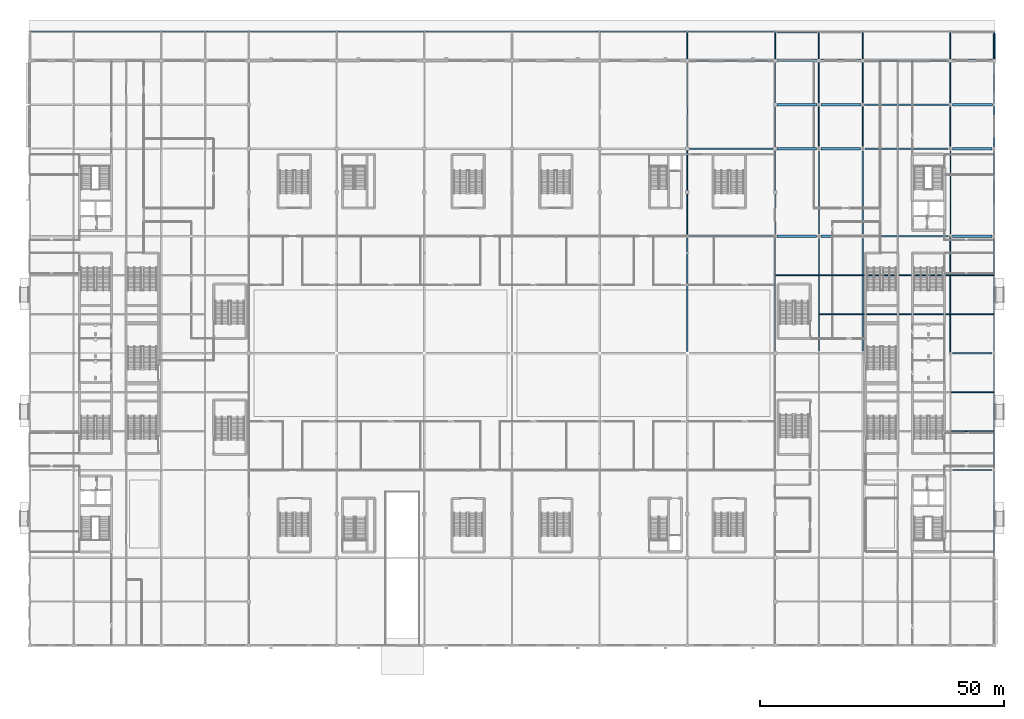
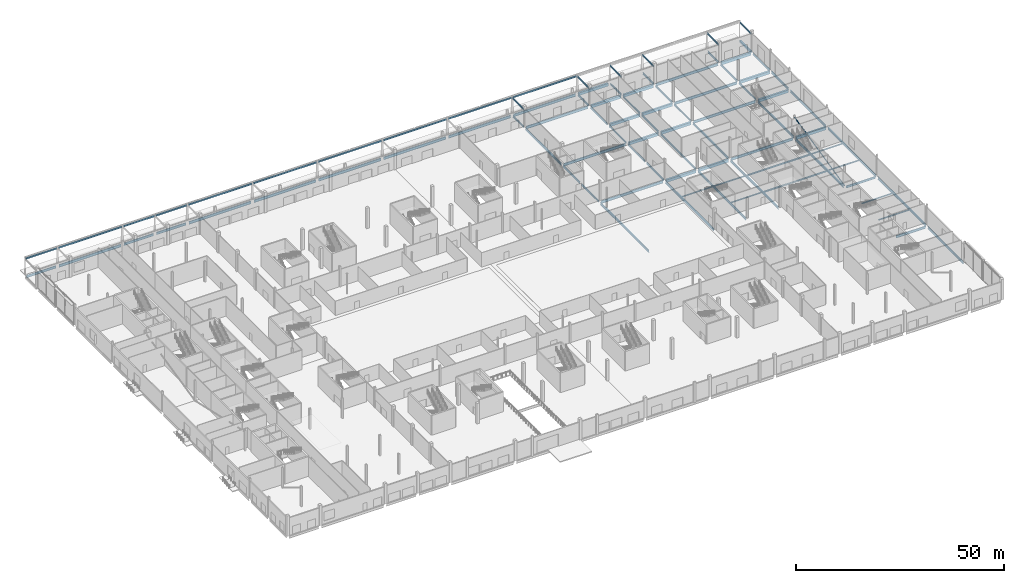
# One storey, part 26 of 84: 90 beams, 1 member.
"""IFC4 building model written with IfcOpenShell, lengths in metres."""

from ifc_helpers import new_model, si_unit, direction, frame, origin, origin_2d, place, context, subcontext, project, spatial, rectangle, hollow_circle, i_section, extrude, material, material_profile, profile_set, type_object, element, save


model = new_model("IFC4")

# Units and contexts
model_context = context("Model", 3, precision=1e-05, world=origin(), true_north=direction((0.0, 1.0)))
body_context = subcontext(model_context, "Body", "Model", "MODEL_VIEW")
ifc_project = project(units=[si_unit("LENGTHUNIT", "METRE"), si_unit("AREAUNIT", "SQUARE_METRE"), si_unit("VOLUMEUNIT", "CUBIC_METRE"), si_unit("PLANEANGLEUNIT", "RADIAN"), si_unit("MASSUNIT", "GRAM", prefix="KILO")], contexts=[model_context])

# Site, building, storey
site_placement = place(None, origin())
site = spatial("IfcSite", under=ifc_project, at=site_placement, CompositionType="ELEMENT")
building_placement = place(site_placement, origin())
building = spatial("IfcBuilding", under=site, at=building_placement, Name="Kisiwana Market Hall", CompositionType="ELEMENT")
storey_placement = place(building_placement, origin())
storey = spatial("IfcBuildingStorey", under=building, at=storey_placement, Name="L00", CompositionType="ELEMENT", Elevation=0.0)

# Beams
ifc_material_1 = material(Name="Steel S355", Category="steel")
ifc_material_profile_1 = material_profile(ifc_material_1, i_section(OverallWidth=0.19140625, OverallDepth=0.4599609375, WebThickness=0.010009765625, FlangeThickness=0.01611328125, at=origin_2d()), Name="UB 457x191x82")
ifc_profile_set_1 = profile_set([ifc_material_profile_1], Name="Steel S355")
beam_type_1 = type_object("IfcBeamType", Name="BM-GIRD-UB457H", PredefinedType="BEAM", material=ifc_profile_set_1)
beam_1_placement = place(storey_placement, frame((0.157958984375, 126.0, 4.677978515625), z_axis=(1.0, 0.0, 0.0), x_axis=(0.0, 1.0, 0.0)))
element("IfcBeam", 1, at=beam_1_placement, inside=storey, type_object=beam_type_1, Name="Roof girder B-0298", PredefinedType="BEAM", context=body_context, shape_type="SweptSolid", body=[
    extrude(i_section(OverallWidth=0.19140625, OverallDepth=0.4599609375, WebThickness=0.010009765625, FlangeThickness=0.01611328125, at=origin_2d()), origin(), (0.0, 0.0, 1.0), 8.68408203125),
])
beam_2_placement = place(storey_placement, frame((9.157958984375, 126.0, 4.677978515625), z_axis=(1.0, 0.0, 0.0), x_axis=(0.0, 1.0, 0.0)))
element("IfcBeam", 2, at=beam_2_placement, inside=storey, type_object=beam_type_1, Name="Roof girder B-0299", PredefinedType="BEAM", context=body_context, shape_type="SweptSolid", body=[
    extrude(i_section(OverallWidth=0.19140625, OverallDepth=0.4599609375, WebThickness=0.010009765625, FlangeThickness=0.01611328125, at=origin_2d()), origin(), (0.0, 0.0, 1.0), 17.68408203125),
])
for number, where, z_axis, x_axis, name in (
    (3, (27.157958984375, 126.0, 4.677978515625), (1.0, 0.0, 0.0), (0.0, 1.0, 0.0), "Roof girder B-0300"),
    (4, (36.157958984375, 126.0, 4.677978515625), (1.0, 0.0, 0.0), (0.0, 1.0, 0.0), "Roof girder B-0301"),
):
    element("IfcBeam", number, at=place(storey_placement, frame(where, z_axis=z_axis, x_axis=x_axis)), inside=storey, type_object=beam_type_1, Name=name, PredefinedType="BEAM", context=body_context, shape_type="SweptSolid", body=[
        extrude(i_section(OverallWidth=0.19140625, OverallDepth=0.4599609375, WebThickness=0.010009765625, FlangeThickness=0.01611328125, at=origin_2d()), origin(), (0.0, 0.0, 1.0), 8.68408203125),
    ])
for number, where, z_axis, x_axis, name in (
    (5, (45.157958984375, 126.0, 4.677978515625), (1.0, 0.0, 0.0), (0.0, 1.0, 0.0), "Roof girder B-0302"),
    (6, (63.157958984375, 126.0, 4.677978515625), (1.0, 0.0, 0.0), (0.0, 1.0, 0.0), "Roof girder B-0303"),
    (7, (81.157958984375, 126.0, 4.677978515625), (1.0, 0.0, 0.0), (0.0, 1.0, 0.0), "Roof girder B-0304"),
    (8, (99.157958984375, 126.0, 4.677978515625), (1.0, 0.0, 0.0), (0.0, 1.0, 0.0), "Roof girder B-0305"),
    (9, (117.157958984375, 126.0, 4.677978515625), (1.0, 0.0, 0.0), (0.0, 1.0, 0.0), "Roof girder B-0306"),
    (10, (135.157958984375, 126.0, 4.677978515625), (1.0, 0.0, 0.0), (0.0, 1.0, 0.0), "Roof girder B-0307"),
):
    element("IfcBeam", number, at=place(storey_placement, frame(where, z_axis=z_axis, x_axis=x_axis)), inside=storey, type_object=beam_type_1, Name=name, PredefinedType="BEAM", context=body_context, shape_type="SweptSolid", body=[
        extrude(i_section(OverallWidth=0.19140625, OverallDepth=0.4599609375, WebThickness=0.010009765625, FlangeThickness=0.01611328125, at=origin_2d()), origin(), (0.0, 0.0, 1.0), 17.68408203125),
    ])
for number, where, z_axis, x_axis, name in (
    (11, (135.0, 120.345947265625, 4.677978515625), (0.0, 1.0, 0.0), (-1.0, 0.0, 0.0), "Roof girder B-0321"),
    (12, (153.0, 120.345947265625, 4.677978515625), (0.0, 1.0, 0.0), (-1.0, 0.0, 0.0), "Roof girder B-0322"),
    (13, (162.0, 120.345947265625, 4.677978515625), (0.0, 1.0, 0.0), (-1.0, 0.0, 0.0), "Roof girder B-0323"),
    (14, (171.0, 120.345947265625, 4.677978515625), (0.0, 1.0, 0.0), (-1.0, 0.0, 0.0), "Roof girder B-0324"),
    (15, (189.0, 120.345947265625, 4.677978515625), (0.0, 1.0, 0.0), (-1.0, 0.0, 0.0), "Roof girder B-0325"),
    (16, (198.0, 120.345947265625, 4.677978515625), (0.0, 1.0, 0.0), (-1.0, 0.0, 0.0), "Roof girder B-0326"),
):
    element("IfcBeam", number, at=place(storey_placement, frame(where, z_axis=z_axis, x_axis=x_axis)), inside=storey, type_object=beam_type_1, Name=name, PredefinedType="BEAM", context=body_context, shape_type="SweptSolid", body=[
        extrude(i_section(OverallWidth=0.19140625, OverallDepth=0.4599609375, WebThickness=0.010009765625, FlangeThickness=0.01611328125, at=origin_2d()), origin(), (0.0, 0.0, 1.0), 5.49609375),
    ])
ifc_material_2 = material(Name="Steel S355", Category="steel")
ifc_material_profile_2 = material_profile(ifc_material_2, i_section(OverallWidth=0.209228515625, OverallDepth=0.533203125, WebThickness=0.010009765625, FlangeThickness=0.015625, at=origin_2d()), Name="UB 533x210x92")
ifc_profile_set_2 = profile_set([ifc_material_profile_2], Name="Steel S355")
beam_type_2 = type_object("IfcBeamType", Name="BM-GIRD-UB533", PredefinedType="BEAM", material=ifc_profile_set_2)
for number, where, z_axis, x_axis, name in (
    (17, (135.0, 84.39599609375, -0.526611328125), (0.0, 1.0, 0.0), (-1.0, 0.0, 0.0), "Primary girder B-0080"),
    (18, (135.0, 93.39599609375, -0.526611328125), (0.0, 1.0, 0.0), (-1.0, 0.0, 0.0), "Primary girder B-0081"),
):
    element("IfcBeam", number, at=place(storey_placement, frame(where, z_axis=z_axis, x_axis=x_axis)), inside=storey, type_object=beam_type_2, Name=name, PredefinedType="BEAM", context=body_context, shape_type="SweptSolid", body=[
        extrude(i_section(OverallWidth=0.209228515625, OverallDepth=0.533203125, WebThickness=0.010009765625, FlangeThickness=0.015625, at=origin_2d()), origin(), (0.0, 0.0, 1.0), 8.2080078125),
    ])
beam_3_placement = place(storey_placement, frame((135.0, 120.39599609375, -0.524658203125), z_axis=(0.0, 1.0, 0.0), x_axis=(-1.0, 0.0, 0.0)))
element("IfcBeam", 19, at=beam_3_placement, inside=storey, type_object=beam_type_2, Name="Primary girder B-0083", PredefinedType="BEAM", context=body_context, shape_type="SweptSolid", body=[
    extrude(i_section(OverallWidth=0.209228515625, OverallDepth=0.533203125, WebThickness=0.010009765625, FlangeThickness=0.015625, at=origin_2d()), origin(), (0.0, 0.0, 1.0), 5.2080078125),
])
for number, where, z_axis, x_axis, name in (
    (20, (153.0, 84.39599609375, -0.566650390625), (0.0, 1.0, 0.0), (-1.0, 0.0, 0.0), "Primary girder B-0089"),
    (21, (153.0, 93.39599609375, -0.566650390625), (0.0, 1.0, 0.0), (-1.0, 0.0, 0.0), "Primary girder B-0090"),
    (22, (153.0, 102.39599609375, -0.566650390625), (0.0, 1.0, 0.0), (-1.0, 0.0, 0.0), "Primary girder B-0091"),
    (23, (153.0, 111.39599609375, -0.566650390625), (0.0, 1.0, 0.0), (-1.0, 0.0, 0.0), "Primary girder B-0092"),
):
    element("IfcBeam", number, at=place(storey_placement, frame(where, z_axis=z_axis, x_axis=x_axis)), inside=storey, type_object=beam_type_2, Name=name, PredefinedType="BEAM", context=body_context, shape_type="SweptSolid", body=[
        extrude(i_section(OverallWidth=0.209228515625, OverallDepth=0.533203125, WebThickness=0.010009765625, FlangeThickness=0.015625, at=origin_2d()), origin(), (0.0, 0.0, 1.0), 8.2080078125),
    ])
beam_4_placement = place(storey_placement, frame((153.0, 120.39599609375, -0.524658203125), z_axis=(0.0, 1.0, 0.0), x_axis=(-1.0, 0.0, 0.0)))
element("IfcBeam", 24, at=beam_4_placement, inside=storey, type_object=beam_type_2, Name="Primary girder B-0093", PredefinedType="BEAM", context=body_context, shape_type="SweptSolid", body=[
    extrude(i_section(OverallWidth=0.209228515625, OverallDepth=0.533203125, WebThickness=0.010009765625, FlangeThickness=0.015625, at=origin_2d()), origin(), (0.0, 0.0, 1.0), 5.2080078125),
])
beam_5_placement = place(storey_placement, frame((162.0, 102.446044921875, -0.566650390625), z_axis=(0.0, 1.0, 0.0), x_axis=(-1.0, 0.0, 0.0)))
element("IfcBeam", 25, at=beam_5_placement, inside=storey, type_object=beam_type_2, Name="Primary girder B-0100", PredefinedType="BEAM", context=body_context, shape_type="SweptSolid", body=[
    extrude(i_section(OverallWidth=0.209228515625, OverallDepth=0.533203125, WebThickness=0.010009765625, FlangeThickness=0.015625, at=origin_2d()), origin(), (0.0, 0.0, 1.0), 8.157958984375),
])
beam_6_placement = place(storey_placement, frame((162.0, 111.39599609375, -0.566650390625), z_axis=(0.0, 1.0, 0.0), x_axis=(-1.0, 0.0, 0.0)))
element("IfcBeam", 26, at=beam_6_placement, inside=storey, type_object=beam_type_2, Name="Primary girder B-0101", PredefinedType="BEAM", context=body_context, shape_type="SweptSolid", body=[
    extrude(i_section(OverallWidth=0.209228515625, OverallDepth=0.533203125, WebThickness=0.010009765625, FlangeThickness=0.015625, at=origin_2d()), origin(), (0.0, 0.0, 1.0), 8.2080078125),
])
beam_7_placement = place(storey_placement, frame((162.0, 120.39599609375, -0.524658203125), z_axis=(0.0, 1.0, 0.0), x_axis=(-1.0, 0.0, 0.0)))
element("IfcBeam", 27, at=beam_7_placement, inside=storey, type_object=beam_type_2, Name="Primary girder B-0102", PredefinedType="BEAM", context=body_context, shape_type="SweptSolid", body=[
    extrude(i_section(OverallWidth=0.209228515625, OverallDepth=0.533203125, WebThickness=0.010009765625, FlangeThickness=0.015625, at=origin_2d()), origin(), (0.0, 0.0, 1.0), 5.2080078125),
])
beam_8_placement = place(storey_placement, frame((171.0, 102.446044921875, -0.566650390625), z_axis=(0.0, 1.0, 0.0), x_axis=(-1.0, 0.0, 0.0)))
element("IfcBeam", 28, at=beam_8_placement, inside=storey, type_object=beam_type_2, Name="Primary girder B-0107", PredefinedType="BEAM", context=body_context, shape_type="SweptSolid", body=[
    extrude(i_section(OverallWidth=0.209228515625, OverallDepth=0.533203125, WebThickness=0.010009765625, FlangeThickness=0.015625, at=origin_2d()), origin(), (0.0, 0.0, 1.0), 8.157958984375),
])
beam_9_placement = place(storey_placement, frame((171.0, 111.39599609375, -0.566650390625), z_axis=(0.0, 1.0, 0.0), x_axis=(-1.0, 0.0, 0.0)))
element("IfcBeam", 29, at=beam_9_placement, inside=storey, type_object=beam_type_2, Name="Primary girder B-0108", PredefinedType="BEAM", context=body_context, shape_type="SweptSolid", body=[
    extrude(i_section(OverallWidth=0.209228515625, OverallDepth=0.533203125, WebThickness=0.010009765625, FlangeThickness=0.015625, at=origin_2d()), origin(), (0.0, 0.0, 1.0), 8.2080078125),
])
beam_10_placement = place(storey_placement, frame((171.0, 120.39599609375, -0.524658203125), z_axis=(0.0, 1.0, 0.0), x_axis=(-1.0, 0.0, 0.0)))
element("IfcBeam", 30, at=beam_10_placement, inside=storey, type_object=beam_type_2, Name="Primary girder B-0109", PredefinedType="BEAM", context=body_context, shape_type="SweptSolid", body=[
    extrude(i_section(OverallWidth=0.209228515625, OverallDepth=0.533203125, WebThickness=0.010009765625, FlangeThickness=0.015625, at=origin_2d()), origin(), (0.0, 0.0, 1.0), 5.2080078125),
])
beam_11_placement = place(storey_placement, frame((189.0, 102.446044921875, -0.566650390625), z_axis=(0.0, 1.0, 0.0), x_axis=(-1.0, 0.0, 0.0)))
element("IfcBeam", 31, at=beam_11_placement, inside=storey, type_object=beam_type_2, Name="Primary girder B-0116", PredefinedType="BEAM", context=body_context, shape_type="SweptSolid", body=[
    extrude(i_section(OverallWidth=0.209228515625, OverallDepth=0.533203125, WebThickness=0.010009765625, FlangeThickness=0.015625, at=origin_2d()), origin(), (0.0, 0.0, 1.0), 8.157958984375),
])
beam_12_placement = place(storey_placement, frame((189.0, 111.39599609375, -0.566650390625), z_axis=(0.0, 1.0, 0.0), x_axis=(-1.0, 0.0, 0.0)))
element("IfcBeam", 32, at=beam_12_placement, inside=storey, type_object=beam_type_2, Name="Primary girder B-0117", PredefinedType="BEAM", context=body_context, shape_type="SweptSolid", body=[
    extrude(i_section(OverallWidth=0.209228515625, OverallDepth=0.533203125, WebThickness=0.010009765625, FlangeThickness=0.015625, at=origin_2d()), origin(), (0.0, 0.0, 1.0), 8.2080078125),
])
beam_13_placement = place(storey_placement, frame((189.0, 120.39599609375, -0.524658203125), z_axis=(0.0, 1.0, 0.0), x_axis=(-1.0, 0.0, 0.0)))
element("IfcBeam", 33, at=beam_13_placement, inside=storey, type_object=beam_type_2, Name="Primary girder B-0118", PredefinedType="BEAM", context=body_context, shape_type="SweptSolid", body=[
    extrude(i_section(OverallWidth=0.209228515625, OverallDepth=0.533203125, WebThickness=0.010009765625, FlangeThickness=0.015625, at=origin_2d()), origin(), (0.0, 0.0, 1.0), 5.2080078125),
])
ifc_material_3 = material(Name="Steel S355", Category="steel")
ifc_material_profile_3 = material_profile(ifc_material_3, i_section(OverallWidth=0.22900390625, OverallDepth=0.6123046875, WebThickness=0.011962890625, FlangeThickness=0.01953125, at=origin_2d()), Name="UB 610x229x125")
ifc_profile_set_3 = profile_set([ifc_material_profile_3], Name="Steel S355")
beam_type_3 = type_object("IfcBeamType", Name="BM-GIRD-UB610H", PredefinedType="BEAM", material=ifc_profile_set_3)
beam_14_placement = place(storey_placement, frame((198.0, 102.446044921875, -0.606201171875), z_axis=(0.0, 1.0, 0.0), x_axis=(-1.0, 0.0, 0.0)))
element("IfcBeam", 34, at=beam_14_placement, inside=storey, type_object=beam_type_3, Name="Floor beam B-0295", PredefinedType="BEAM", context=body_context, shape_type="SweptSolid", body=[
    extrude(i_section(OverallWidth=0.22900390625, OverallDepth=0.6123046875, WebThickness=0.011962890625, FlangeThickness=0.01953125, at=origin_2d()), origin(), (0.0, 0.0, 1.0), 8.157958984375),
])
beam_15_placement = place(storey_placement, frame((198.0, 111.39599609375, -0.606201171875), z_axis=(0.0, 1.0, 0.0), x_axis=(-1.0, 0.0, 0.0)))
element("IfcBeam", 35, at=beam_15_placement, inside=storey, type_object=beam_type_3, Name="Floor beam B-0296", PredefinedType="BEAM", context=body_context, shape_type="SweptSolid", body=[
    extrude(i_section(OverallWidth=0.22900390625, OverallDepth=0.6123046875, WebThickness=0.011962890625, FlangeThickness=0.01953125, at=origin_2d()), origin(), (0.0, 0.0, 1.0), 8.2080078125),
])
beam_16_placement = place(storey_placement, frame((189.446044921875, 60.0, -0.566162109375), z_axis=(1.0, 0.0, 0.0), x_axis=(0.0, 1.0, 0.0)))
element("IfcBeam", 36, at=beam_16_placement, inside=storey, type_object=beam_type_3, Name="Primary girder B-0004", PredefinedType="BEAM", context=body_context, shape_type="SweptSolid", body=[
    extrude(i_section(OverallWidth=0.22900390625, OverallDepth=0.6123046875, WebThickness=0.011962890625, FlangeThickness=0.01953125, at=origin_2d()), origin(), (0.0, 0.0, 1.0), 8.10791015625),
])
beam_17_placement = place(storey_placement, frame((135.0, 102.39599609375, -0.566162109375), z_axis=(0.0, 1.0, 0.0), x_axis=(-1.0, 0.0, 0.0)))
element("IfcBeam", 37, at=beam_17_placement, inside=storey, type_object=beam_type_3, Name="Primary girder B-0082", PredefinedType="BEAM", context=body_context, shape_type="SweptSolid", body=[
    extrude(i_section(OverallWidth=0.22900390625, OverallDepth=0.6123046875, WebThickness=0.011962890625, FlangeThickness=0.01953125, at=origin_2d()), origin(), (0.0, 0.0, 1.0), 17.2080078125),
])
for number, where, z_axis, x_axis, name in (
    (38, (162.0, 84.446044921875, -0.606201171875), (0.0, 1.0, 0.0), (-1.0, 0.0, 0.0), "Primary girder B-0099"),
    (39, (171.0, 84.446044921875, -0.606201171875), (0.0, 1.0, 0.0), (-1.0, 0.0, 0.0), "Primary girder B-0106"),
    (40, (189.0, 84.446044921875, -0.606201171875), (0.0, 1.0, 0.0), (-1.0, 0.0, 0.0), "Primary girder B-0115"),
):
    element("IfcBeam", number, at=place(storey_placement, frame(where, z_axis=z_axis, x_axis=x_axis)), inside=storey, type_object=beam_type_3, Name=name, PredefinedType="BEAM", context=body_context, shape_type="SweptSolid", body=[
        extrude(i_section(OverallWidth=0.22900390625, OverallDepth=0.6123046875, WebThickness=0.011962890625, FlangeThickness=0.01953125, at=origin_2d()), origin(), (0.0, 0.0, 1.0), 17.10791015625),
    ])
ifc_material_4 = material(Name="Steel S355", Category="steel")
ifc_material_profile_4 = material_profile(ifc_material_4, i_section(OverallWidth=0.253662109375, OverallDepth=0.68359375, WebThickness=0.012451171875, FlangeThickness=0.01904296875, at=origin_2d()), Name="UB 686x254x140")
ifc_profile_set_4 = profile_set([ifc_material_profile_4], Name="Steel S355")
beam_type_4 = type_object("IfcBeamType", Name="BM-GIRD-UB686", PredefinedType="BEAM", material=ifc_profile_set_4)
beam_18_placement = place(storey_placement, frame((189.446044921875, 36.0, -0.601806640625), z_axis=(1.0, 0.0, 0.0), x_axis=(0.0, 1.0, 0.0)))
element("IfcBeam", 41, at=beam_18_placement, inside=storey, type_object=beam_type_4, Name="Floor beam B-0198", PredefinedType="BEAM", context=body_context, shape_type="SweptSolid", body=[
    extrude(i_section(OverallWidth=0.253662109375, OverallDepth=0.68359375, WebThickness=0.012451171875, FlangeThickness=0.01904296875, at=origin_2d()), origin(), (0.0, 0.0, 1.0), 8.10791015625),
])
for number, where, z_axis, x_axis, name in (
    (42, (0.39599609375, 126.0, -0.641845703125), (1.0, 0.0, 0.0), (0.0, 1.0, 0.0), "Floor beam B-0259"),
    (43, (27.39599609375, 126.0, -0.641845703125), (1.0, 0.0, 0.0), (0.0, 1.0, 0.0), "Floor beam B-0261"),
    (44, (36.39599609375, 126.0, -0.641845703125), (1.0, 0.0, 0.0), (0.0, 1.0, 0.0), "Floor beam B-0262"),
):
    element("IfcBeam", number, at=place(storey_placement, frame(where, z_axis=z_axis, x_axis=x_axis)), inside=storey, type_object=beam_type_4, Name=name, PredefinedType="BEAM", context=body_context, shape_type="SweptSolid", body=[
        extrude(i_section(OverallWidth=0.253662109375, OverallDepth=0.68359375, WebThickness=0.012451171875, FlangeThickness=0.01904296875, at=origin_2d()), origin(), (0.0, 0.0, 1.0), 8.2080078125),
    ])
beam_19_placement = place(storey_placement, frame((153.0, 60.39599609375, -0.601806640625), z_axis=(0.0, 1.0, 0.0), x_axis=(-1.0, 0.0, 0.0)))
element("IfcBeam", 45, at=beam_19_placement, inside=storey, type_object=beam_type_4, Name="Floor beam B-0286", PredefinedType="BEAM", context=body_context, shape_type="SweptSolid", body=[
    extrude(i_section(OverallWidth=0.253662109375, OverallDepth=0.68359375, WebThickness=0.012451171875, FlangeThickness=0.01904296875, at=origin_2d()), origin(), (0.0, 0.0, 1.0), 23.2080078125),
])
beam_20_placement = place(storey_placement, frame((171.0, 60.446044921875, -0.601806640625), z_axis=(0.0, 1.0, 0.0), x_axis=(-1.0, 0.0, 0.0)))
element("IfcBeam", 46, at=beam_20_placement, inside=storey, type_object=beam_type_4, Name="Floor beam B-0288", PredefinedType="BEAM", context=body_context, shape_type="SweptSolid", body=[
    extrude(i_section(OverallWidth=0.253662109375, OverallDepth=0.68359375, WebThickness=0.012451171875, FlangeThickness=0.01904296875, at=origin_2d()), origin(), (0.0, 0.0, 1.0), 23.10791015625),
])
beam_21_placement = place(storey_placement, frame((198.0, 18.446044921875, -0.601806640625), z_axis=(0.0, 1.0, 0.0), x_axis=(-1.0, 0.0, 0.0)))
element("IfcBeam", 47, at=beam_21_placement, inside=storey, type_object=beam_type_4, Name="Floor beam B-0291", PredefinedType="BEAM", context=body_context, shape_type="SweptSolid", body=[
    extrude(i_section(OverallWidth=0.253662109375, OverallDepth=0.68359375, WebThickness=0.012451171875, FlangeThickness=0.01904296875, at=origin_2d()), origin(), (0.0, 0.0, 1.0), 17.10791015625),
])
for number, where, z_axis, x_axis, name in (
    (48, (198.0, 36.446044921875, -0.601806640625), (0.0, 1.0, 0.0), (-1.0, 0.0, 0.0), "Floor beam B-0292"),
    (49, (198.0, 60.446044921875, -0.601806640625), (0.0, 1.0, 0.0), (-1.0, 0.0, 0.0), "Floor beam B-0293"),
):
    element("IfcBeam", number, at=place(storey_placement, frame(where, z_axis=z_axis, x_axis=x_axis)), inside=storey, type_object=beam_type_4, Name=name, PredefinedType="BEAM", context=body_context, shape_type="SweptSolid", body=[
        extrude(i_section(OverallWidth=0.253662109375, OverallDepth=0.68359375, WebThickness=0.012451171875, FlangeThickness=0.01904296875, at=origin_2d()), origin(), (0.0, 0.0, 1.0), 23.10791015625),
    ])
beam_22_placement = place(storey_placement, frame((198.0, 84.446044921875, -0.641845703125), z_axis=(0.0, 1.0, 0.0), x_axis=(-1.0, 0.0, 0.0)))
element("IfcBeam", 50, at=beam_22_placement, inside=storey, type_object=beam_type_4, Name="Floor beam B-0294", PredefinedType="BEAM", context=body_context, shape_type="SweptSolid", body=[
    extrude(i_section(OverallWidth=0.253662109375, OverallDepth=0.68359375, WebThickness=0.012451171875, FlangeThickness=0.01904296875, at=origin_2d()), origin(), (0.0, 0.0, 1.0), 17.10791015625),
])
beam_23_placement = place(storey_placement, frame((135.0, 60.39599609375, -0.601806640625), z_axis=(0.0, 1.0, 0.0), x_axis=(-1.0, 0.0, 0.0)))
element("IfcBeam", 51, at=beam_23_placement, inside=storey, type_object=beam_type_4, Name="Primary girder B-0079", PredefinedType="BEAM", context=body_context, shape_type="SweptSolid", body=[
    extrude(i_section(OverallWidth=0.253662109375, OverallDepth=0.68359375, WebThickness=0.012451171875, FlangeThickness=0.01904296875, at=origin_2d()), origin(), (0.0, 0.0, 1.0), 23.2080078125),
])
for number, where, z_axis, x_axis, name in (
    (52, (162.0, 60.446044921875, -0.601806640625), (0.0, 1.0, 0.0), (-1.0, 0.0, 0.0), "Primary girder B-0098"),
    (53, (189.0, 60.446044921875, -0.601806640625), (0.0, 1.0, 0.0), (-1.0, 0.0, 0.0), "Primary girder B-0114"),
):
    element("IfcBeam", number, at=place(storey_placement, frame(where, z_axis=z_axis, x_axis=x_axis)), inside=storey, type_object=beam_type_4, Name=name, PredefinedType="BEAM", context=body_context, shape_type="SweptSolid", body=[
        extrude(i_section(OverallWidth=0.253662109375, OverallDepth=0.68359375, WebThickness=0.012451171875, FlangeThickness=0.01904296875, at=origin_2d()), origin(), (0.0, 0.0, 1.0), 23.10791015625),
    ])
ifc_material_5 = material(Name="Steel S355", Category="steel")
ifc_material_profile_5 = material_profile(ifc_material_5, i_section(OverallWidth=0.2666015625, OverallDepth=0.76220703125, WebThickness=0.014404296875, FlangeThickness=0.021484375, at=origin_2d()), Name="UB 762x267x173")
ifc_profile_set_5 = profile_set([ifc_material_profile_5], Name="Steel S355")
beam_type_5 = type_object("IfcBeamType", Name="BM-GIRD-UB762", PredefinedType="BEAM", material=ifc_profile_set_5)
beam_24_placement = place(storey_placement, frame((135.39599609375, 84.0, -0.64111328125), z_axis=(1.0, 0.0, 0.0), x_axis=(0.0, 1.0, 0.0)))
element("IfcBeam", 54, at=beam_24_placement, inside=storey, type_object=beam_type_5, Name="Floor beam B-0218", PredefinedType="BEAM", context=body_context, shape_type="SweptSolid", body=[
    extrude(i_section(OverallWidth=0.2666015625, OverallDepth=0.76220703125, WebThickness=0.014404296875, FlangeThickness=0.021484375, at=origin_2d()), origin(), (0.0, 0.0, 1.0), 17.2080078125),
])
beam_25_placement = place(storey_placement, frame((171.446044921875, 84.0, -0.68115234375), z_axis=(1.0, 0.0, 0.0), x_axis=(0.0, 1.0, 0.0)))
element("IfcBeam", 55, at=beam_25_placement, inside=storey, type_object=beam_type_5, Name="Floor beam B-0221", PredefinedType="BEAM", context=body_context, shape_type="SweptSolid", body=[
    extrude(i_section(OverallWidth=0.2666015625, OverallDepth=0.76220703125, WebThickness=0.014404296875, FlangeThickness=0.021484375, at=origin_2d()), origin(), (0.0, 0.0, 1.0), 17.10791015625),
])
beam_26_placement = place(storey_placement, frame((135.39599609375, 102.0, -0.64111328125), z_axis=(1.0, 0.0, 0.0), x_axis=(0.0, 1.0, 0.0)))
element("IfcBeam", 56, at=beam_26_placement, inside=storey, type_object=beam_type_5, Name="Floor beam B-0232", PredefinedType="BEAM", context=body_context, shape_type="SweptSolid", body=[
    extrude(i_section(OverallWidth=0.2666015625, OverallDepth=0.76220703125, WebThickness=0.014404296875, FlangeThickness=0.021484375, at=origin_2d()), origin(), (0.0, 0.0, 1.0), 17.2080078125),
])
beam_27_placement = place(storey_placement, frame((171.446044921875, 102.0, -0.68115234375), z_axis=(1.0, 0.0, 0.0), x_axis=(0.0, 1.0, 0.0)))
element("IfcBeam", 57, at=beam_27_placement, inside=storey, type_object=beam_type_5, Name="Floor beam B-0235", PredefinedType="BEAM", context=body_context, shape_type="SweptSolid", body=[
    extrude(i_section(OverallWidth=0.2666015625, OverallDepth=0.76220703125, WebThickness=0.014404296875, FlangeThickness=0.021484375, at=origin_2d()), origin(), (0.0, 0.0, 1.0), 17.10791015625),
])
for number, where, z_axis, x_axis, name in (
    (58, (171.39599609375, 111.0, -0.68115234375), (1.0, 0.0, 0.0), (0.0, 1.0, 0.0), "Floor beam B-0243"),
    (59, (135.39599609375, 120.0, -0.64111328125), (1.0, 0.0, 0.0), (0.0, 1.0, 0.0), "Floor beam B-0254"),
    (60, (171.39599609375, 120.0, -0.68115234375), (1.0, 0.0, 0.0), (0.0, 1.0, 0.0), "Floor beam B-0257"),
    (61, (9.39599609375, 126.0, -0.68115234375), (1.0, 0.0, 0.0), (0.0, 1.0, 0.0), "Floor beam B-0260"),
    (62, (45.39599609375, 126.0, -0.68115234375), (1.0, 0.0, 0.0), (0.0, 1.0, 0.0), "Floor beam B-0263"),
    (63, (63.39599609375, 126.0, -0.68115234375), (1.0, 0.0, 0.0), (0.0, 1.0, 0.0), "Floor beam B-0264"),
    (64, (81.39599609375, 126.0, -0.68115234375), (1.0, 0.0, 0.0), (0.0, 1.0, 0.0), "Floor beam B-0265"),
    (65, (99.39599609375, 126.0, -0.68115234375), (1.0, 0.0, 0.0), (0.0, 1.0, 0.0), "Floor beam B-0266"),
    (66, (117.39599609375, 126.0, -0.68115234375), (1.0, 0.0, 0.0), (0.0, 1.0, 0.0), "Floor beam B-0267"),
    (67, (135.39599609375, 126.0, -0.68115234375), (1.0, 0.0, 0.0), (0.0, 1.0, 0.0), "Floor beam B-0268"),
):
    element("IfcBeam", number, at=place(storey_placement, frame(where, z_axis=z_axis, x_axis=x_axis)), inside=storey, type_object=beam_type_5, Name=name, PredefinedType="BEAM", context=body_context, shape_type="SweptSolid", body=[
        extrude(i_section(OverallWidth=0.2666015625, OverallDepth=0.76220703125, WebThickness=0.014404296875, FlangeThickness=0.021484375, at=origin_2d()), origin(), (0.0, 0.0, 1.0), 17.2080078125),
    ])
ifc_material_6 = material(Name="Steel S355", Category="steel")
ifc_material_profile_6 = material_profile(ifc_material_6, i_section(OverallWidth=0.17138671875, OverallDepth=0.35498046875, WebThickness=0.00732421875, FlangeThickness=0.011474609375, at=origin_2d()), Name="UB 356x171x51")
ifc_profile_set_6 = profile_set([ifc_material_profile_6], Name="Steel S355")
beam_type_6 = type_object("IfcBeamType", Name="BM-JOIST-UB356", PredefinedType="JOIST", material=ifc_profile_set_6)
for number, where, z_axis, x_axis, name in (
    (68, (189.125732421875, 44.0, -0.4375), (1.0, 0.0, 0.0), (0.0, 1.0, 0.0), "Secondary floor joist B-0124"),
    (69, (189.125732421875, 52.0, -0.4375), (1.0, 0.0, 0.0), (0.0, 1.0, 0.0), "Secondary floor joist B-0132"),
    (70, (162.125732421875, 68.0, -0.4375), (1.0, 0.0, 0.0), (0.0, 1.0, 0.0), "Secondary floor joist B-0136"),
    (71, (189.125732421875, 68.0, -0.4375), (1.0, 0.0, 0.0), (0.0, 1.0, 0.0), "Secondary floor joist B-0138"),
    (72, (153.125732421875, 76.0, -0.4375), (1.0, 0.0, 0.0), (0.0, 1.0, 0.0), "Secondary floor joist B-0143"),
    (73, (162.125732421875, 76.0, -0.4375), (1.0, 0.0, 0.0), (0.0, 1.0, 0.0), "Secondary floor joist B-0144"),
    (74, (189.125732421875, 76.0, -0.4375), (1.0, 0.0, 0.0), (0.0, 1.0, 0.0), "Secondary floor joist B-0146"),
):
    element("IfcBeam", number, at=place(storey_placement, frame(where, z_axis=z_axis, x_axis=x_axis)), inside=storey, type_object=beam_type_6, Name=name, PredefinedType="JOIST", context=body_context, shape_type="SweptSolid", body=[
        extrude(i_section(OverallWidth=0.17138671875, OverallDepth=0.35498046875, WebThickness=0.00732421875, FlangeThickness=0.011474609375, at=origin_2d()), origin(), (0.0, 0.0, 1.0), 8.74853515625),
    ])
ifc_material_7 = material(Name="Steel S355", Category="steel")
ifc_material_profile_7 = material_profile(ifc_material_7, i_section(OverallWidth=0.18994140625, OverallDepth=0.453369140625, WebThickness=0.008544921875, FlangeThickness=0.0126953125, at=origin_2d()), Name="UB 457x191x67")
ifc_profile_set_7 = profile_set([ifc_material_profile_7], Name="Steel S355")
beam_type_7 = type_object("IfcBeamType", Name="BM-JOIST-UB457", PredefinedType="JOIST", material=ifc_profile_set_7)
for number, where, z_axis, x_axis, name in (
    (75, (171.125732421875, 68.0, -0.48681640625), (1.0, 0.0, 0.0), (0.0, 1.0, 0.0), "Secondary floor joist B-0137"),
    (76, (171.125732421875, 76.0, -0.48681640625), (1.0, 0.0, 0.0), (0.0, 1.0, 0.0), "Secondary floor joist B-0145"),
):
    element("IfcBeam", number, at=place(storey_placement, frame(where, z_axis=z_axis, x_axis=x_axis)), inside=storey, type_object=beam_type_7, Name=name, PredefinedType="JOIST", context=body_context, shape_type="SweptSolid", body=[
        extrude(i_section(OverallWidth=0.18994140625, OverallDepth=0.453369140625, WebThickness=0.008544921875, FlangeThickness=0.0126953125, at=origin_2d()), origin(), (0.0, 0.0, 1.0), 17.74853515625),
    ])
ifc_material_8 = material(Name="Concrete C40/50", Category="concrete")
ifc_material_profile_8 = material_profile(ifc_material_8, rectangle(XDim=0.5, YDim=0.800048828125, at=origin_2d()), Name="RC 500x800")
ifc_profile_set_8 = profile_set([ifc_material_profile_8], Name="Concrete C40/50")
beam_type_8 = type_object("IfcBeamType", Name="BM-RC-B1-500x800", PredefinedType="BEAM", material=ifc_profile_set_8)
beam_28_placement = place(storey_placement, frame((153.39599609375, 84.0, -0.699951171875), z_axis=(1.0, 0.0, 0.0), x_axis=(0.0, 1.0, 0.0)))
element("IfcBeam", 77, at=beam_28_placement, inside=storey, type_object=beam_type_8, Name="Floor beam B-0219", PredefinedType="BEAM", context=body_context, shape_type="SweptSolid", body=[
    extrude(rectangle(XDim=0.5, YDim=0.800048828125, at=origin_2d()), origin(), (0.0, 0.0, 1.0), 8.157958984375),
])
for number, where, z_axis, x_axis, name in (
    (78, (162.446044921875, 84.0, -0.699951171875), (1.0, 0.0, 0.0), (0.0, 1.0, 0.0), "Floor beam B-0220"),
    (79, (189.446044921875, 84.0, -0.699951171875), (1.0, 0.0, 0.0), (0.0, 1.0, 0.0), "Floor beam B-0222"),
):
    element("IfcBeam", number, at=place(storey_placement, frame(where, z_axis=z_axis, x_axis=x_axis)), inside=storey, type_object=beam_type_8, Name=name, PredefinedType="BEAM", context=body_context, shape_type="SweptSolid", body=[
        extrude(rectangle(XDim=0.5, YDim=0.800048828125, at=origin_2d()), origin(), (0.0, 0.0, 1.0), 8.10791015625),
    ])
beam_29_placement = place(storey_placement, frame((153.39599609375, 102.0, -0.699951171875), z_axis=(1.0, 0.0, 0.0), x_axis=(0.0, 1.0, 0.0)))
element("IfcBeam", 80, at=beam_29_placement, inside=storey, type_object=beam_type_8, Name="Floor beam B-0233", PredefinedType="BEAM", context=body_context, shape_type="SweptSolid", body=[
    extrude(rectangle(XDim=0.5, YDim=0.800048828125, at=origin_2d()), origin(), (0.0, 0.0, 1.0), 8.157958984375),
])
for number, where, z_axis, x_axis, name in (
    (81, (162.446044921875, 102.0, -0.699951171875), (1.0, 0.0, 0.0), (0.0, 1.0, 0.0), "Floor beam B-0234"),
    (82, (189.446044921875, 102.0, -0.699951171875), (1.0, 0.0, 0.0), (0.0, 1.0, 0.0), "Floor beam B-0236"),
):
    element("IfcBeam", number, at=place(storey_placement, frame(where, z_axis=z_axis, x_axis=x_axis)), inside=storey, type_object=beam_type_8, Name=name, PredefinedType="BEAM", context=body_context, shape_type="SweptSolid", body=[
        extrude(rectangle(XDim=0.5, YDim=0.800048828125, at=origin_2d()), origin(), (0.0, 0.0, 1.0), 8.10791015625),
    ])
for number, where, z_axis, x_axis, name in (
    (83, (153.39599609375, 111.0, -0.699951171875), (1.0, 0.0, 0.0), (0.0, 1.0, 0.0), "Floor beam B-0241"),
    (84, (162.39599609375, 111.0, -0.699951171875), (1.0, 0.0, 0.0), (0.0, 1.0, 0.0), "Floor beam B-0242"),
    (85, (189.39599609375, 111.0, -0.699951171875), (1.0, 0.0, 0.0), (0.0, 1.0, 0.0), "Floor beam B-0244"),
    (86, (153.39599609375, 120.0, -0.699951171875), (1.0, 0.0, 0.0), (0.0, 1.0, 0.0), "Floor beam B-0255"),
    (87, (162.39599609375, 120.0, -0.699951171875), (1.0, 0.0, 0.0), (0.0, 1.0, 0.0), "Floor beam B-0256"),
    (88, (189.39599609375, 120.0, -0.699951171875), (1.0, 0.0, 0.0), (0.0, 1.0, 0.0), "Floor beam B-0258"),
    (89, (153.39599609375, 126.0, -0.699951171875), (1.0, 0.0, 0.0), (0.0, 1.0, 0.0), "Floor beam B-0269"),
):
    element("IfcBeam", number, at=place(storey_placement, frame(where, z_axis=z_axis, x_axis=x_axis)), inside=storey, type_object=beam_type_8, Name=name, PredefinedType="BEAM", context=body_context, shape_type="SweptSolid", body=[
        extrude(rectangle(XDim=0.5, YDim=0.800048828125, at=origin_2d()), origin(), (0.0, 0.0, 1.0), 8.2080078125),
    ])
ifc_material_9 = material(Name="Concrete C40/50", Category="concrete")
ifc_material_profile_9 = material_profile(ifc_material_9, rectangle(XDim=0.39990234375, YDim=0.64990234375, at=origin_2d()), Name="RC 400x650")
ifc_profile_set_9 = profile_set([ifc_material_profile_9], Name="Concrete C40/50")
beam_type_9 = type_object("IfcBeamType", Name="BM-RC-L00-400x650", PredefinedType="BEAM", material=ifc_profile_set_9)
beam_30_placement = place(storey_placement, frame((198.0, 120.39599609375, -0.5830078125), z_axis=(0.0, 1.0, 0.0), x_axis=(-1.0, 0.0, 0.0)))
element("IfcBeam", 90, at=beam_30_placement, inside=storey, type_object=beam_type_9, Name="Floor beam B-0297", PredefinedType="BEAM", context=body_context, shape_type="SweptSolid", body=[
    extrude(rectangle(XDim=0.39990234375, YDim=0.64990234375, at=origin_2d()), origin(), (0.0, 0.0, 1.0), 5.2080078125),
])

# Member
ifc_material_10 = material(Name="Steel S355", Category="steel")
ifc_material_profile_10 = material_profile(ifc_material_10, hollow_circle(Radius=0.136474609375, WallThickness=0.012451171875, at=origin_2d()), Name="CHS 273.0x12.5")
ifc_profile_set_10 = profile_set([ifc_material_profile_10], Name="Steel S355")
member_type = type_object("IfcMemberType", Name="MB-CBF-CHS273", PredefinedType="BRACE", material=ifc_profile_set_10)
member_placement = place(storey_placement, frame((189.0, 60.0, 0.0), z_axis=(0.0, 0.975173182165, 0.221443592788), x_axis=(-1.0, 0.0, 0.0)))
element("IfcMember", 91, at=member_placement, inside=storey, type_object=member_type, Name="CBF-E-S diagonal brace (L00) M-0009", PredefinedType="BRACE", context=body_context, shape_type="SweptSolid", body=[
    extrude(hollow_circle(Radius=0.136474609375, WallThickness=0.012451171875, at=origin_2d()), origin(), (0.0, 0.0, 1.0), 24.611083984375),
])

save(model, "model.ifc")
